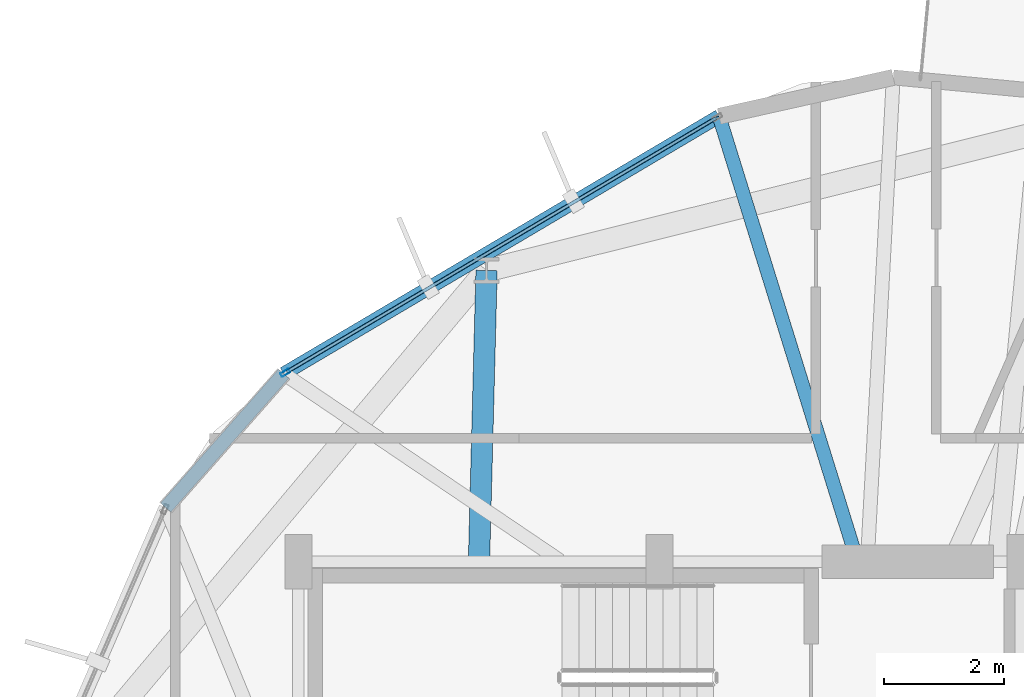
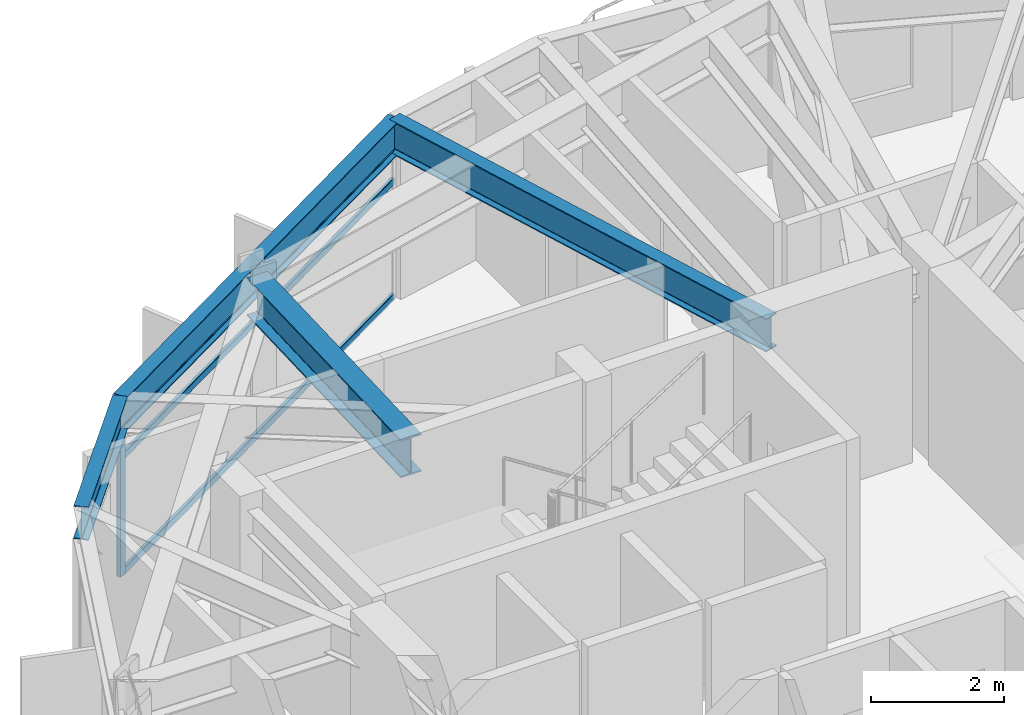
# One storey, part 11 of 21: 4 beams, 4 members, 1 element without a shape of its own.
"""IFC4 building model written with IfcOpenShell, lengths in metres."""

from ifc_helpers import new_model, si_unit, direction, frame, origin, origin_2d, place, context, subcontext, project, spatial, hollow_rectangle, i_section, extrude, material, layer, layer_set, material_profile, profile_set, type_object, element, aggregate, save


model = new_model("IFC4")

# Units and contexts
model_context = context("Model", 3, precision=1e-05, world=origin(), true_north=direction((0.0, 1.0)))
body_context = subcontext(model_context, "Body", "Model", "MODEL_VIEW")
ifc_project = project(units=[si_unit("LENGTHUNIT", "METRE"), si_unit("AREAUNIT", "SQUARE_METRE"), si_unit("VOLUMEUNIT", "CUBIC_METRE"), si_unit("PLANEANGLEUNIT", "RADIAN"), si_unit("MASSUNIT", "GRAM", prefix="KILO")], contexts=[model_context])

# Site, building, storey
site_placement = place(None, origin())
site = spatial("IfcSite", under=ifc_project, at=site_placement, CompositionType="ELEMENT")
building_placement = place(site_placement, origin())
building = spatial("IfcBuilding", under=site, at=building_placement, Name="Soratama Intermodal Tower", CompositionType="ELEMENT")
storey_placement = place(building_placement, frame((0.0, 0.0, 146.199951171875)))
storey = spatial("IfcBuildingStorey", under=building, at=storey_placement, Name="L35", CompositionType="ELEMENT", Elevation=146.199951171875)

# Beams
ifc_material_1 = material(Name="Structural steel ASTM A992 Grade 50", Category="steel")
ifc_material_profile_1 = material_profile(ifc_material_1, i_section(OverallWidth=0.35498046875, OverallDepth=0.695068359375, WebThickness=0.015380859375, FlangeThickness=0.02490234375, FilletRadius=0.01611328125, at=origin_2d()), Name="W27X146")
ifc_profile_set_1 = profile_set([ifc_material_profile_1], Name="Structural steel ASTM A992 Grade 50")
beam_type_1 = type_object("IfcBeamType", Name="BM-RING-W27X146", PredefinedType="BEAM", material=ifc_profile_set_1)
beam_1_placement = place(storey_placement, frame((35.60009765625, 35.0, 2.95263671875), z_axis=(0.026013685955, 0.99966158681, 0.0), x_axis=(-0.99966158681, 0.026013685955, 0.0)))
element("IfcBeam", 1, at=beam_1_placement, inside=storey, type_object=beam_type_1, Name="BM-L35-RAD-04", PredefinedType="BEAM", context=body_context, shape_type="SweptSolid", body=[
    extrude(i_section(OverallWidth=0.35498046875, OverallDepth=0.695068359375, WebThickness=0.015380859375, FlangeThickness=0.02490234375, FilletRadius=0.01611328125, at=origin_2d()), origin(), (0.0, 0.0, 1.0), 4.8427734375),
])
ifc_material_2 = material(Name="Structural steel ASTM A992 Grade 50", Category="steel")
ifc_material_profile_2 = material_profile(ifc_material_2, i_section(OverallWidth=0.22900390625, OverallDepth=0.612060546875, WebThickness=0.011962890625, FlangeThickness=0.01953125, FilletRadius=0.012939453125, at=origin_2d()), Name="W24X84")
ifc_profile_set_2 = profile_set([ifc_material_profile_2], Name="Structural steel ASTM A992 Grade 50")
beam_type_2 = type_object("IfcBeamType", Name="BM-SPN-W24X84", PredefinedType="SPANDREL", material=ifc_profile_set_2)
beam_2_placement = place(storey_placement, frame((39.590087890625, 42.404052734375, 2.994140625), z_axis=(-0.860730448045, -0.509060994192, 0.0), x_axis=(0.509060994192, -0.860730448045, 0.0)))
element("IfcBeam", 2, at=beam_2_placement, inside=storey, type_object=beam_type_2, Name="BS-L35-F03", PredefinedType="SPANDREL", context=body_context, shape_type="SweptSolid", body=[
    extrude(i_section(OverallWidth=0.22900390625, OverallDepth=0.612060546875, WebThickness=0.011962890625, FlangeThickness=0.01953125, FilletRadius=0.012939453125, at=origin_2d()), origin(), (0.0, 0.0, 1.0), 8.40576171875),
])
beam_3_placement = place(storey_placement, frame((32.35498046875, 38.125, 2.994140625), z_axis=(-0.661169574551, -0.75023649184, 0.0), x_axis=(0.75023649184, -0.661169574551, 0.0)))
element("IfcBeam", 3, at=beam_3_placement, inside=storey, type_object=beam_type_2, Name="BS-L35-CRN03", PredefinedType="SPANDREL", context=body_context, shape_type="SweptSolid", body=[
    extrude(i_section(OverallWidth=0.22900390625, OverallDepth=0.612060546875, WebThickness=0.011962890625, FlangeThickness=0.01953125, FilletRadius=0.012939453125, at=origin_2d()), origin(), (0.0, 0.0, 1.0), 2.9658203125),
])
ifc_material_3 = material(Name="Structural steel ASTM A992 Grade 50", Category="steel")
ifc_material_profile_3 = material_profile(ifc_material_3, i_section(OverallWidth=0.22900390625, OverallDepth=0.612060546875, WebThickness=0.011962890625, FlangeThickness=0.01953125, FilletRadius=0.012939453125, at=origin_2d()), Name="W24X84")
ifc_profile_set_3 = profile_set([ifc_material_profile_3], Name="Structural steel ASTM A992 Grade 50")
beam_type_3 = type_object("IfcBeamType", Name="BM-TIE-W24X84", PredefinedType="BEAM", material=ifc_profile_set_3)
beam_4_placement = place(storey_placement, frame((41.8798828125, 35.0380859375, 2.994140625), z_axis=(-0.296849153251, 0.954924384553, 0.0), x_axis=(-0.954924384553, -0.296849153251, 0.0)))
element("IfcBeam", 4, at=beam_4_placement, inside=storey, type_object=beam_type_3, Name="BM-L35-TIE0-03", PredefinedType="BEAM", context=body_context, shape_type="SweptSolid", body=[
    extrude(i_section(OverallWidth=0.22900390625, OverallDepth=0.612060546875, WebThickness=0.011962890625, FlangeThickness=0.01953125, FilletRadius=0.012939453125, at=origin_2d()), origin(), (0.0, 0.0, 1.0), 7.713623046875),
])

# Curtain wall, members
ifc_material_4 = material(Name="Double-glazed aluminium curtain wall", Category="aluminium")
ifc_layer = layer(ifc_material_4, 0.159912109375)
ifc_layer_set = layer_set([ifc_layer], Name="Double-glazed aluminium curtain wall")
curtain_wall_type = type_object("IfcCurtainWallType", Name="CW-SYS-4", PredefinedType="NOTDEFINED", material=ifc_layer_set)
curtain_wall_placement = place(storey_placement, origin())
curtain_wall = element("IfcCurtainWall", 5, at=curtain_wall_placement, inside=storey, type_object=curtain_wall_type, Name="L35 Faceted Curtain Wall F03", PredefinedType="NOTDEFINED")
ifc_material_5 = material(Name="Anodised aluminium AA 6063-T6", Category="aluminium")
ifc_material_profile_4 = material_profile(ifc_material_5, hollow_rectangle(XDim=0.070068359375, YDim=0.159912109375, WallThickness=0.0048828125, InnerFilletRadius=0.0048828125, OuterFilletRadius=0.010009765625, at=origin_2d()), Name="CWM160X70X5")
ifc_profile_set_4 = profile_set([ifc_material_profile_4], Name="Anodised aluminium AA 6063-T6")
member_type_1 = type_object("IfcMemberType", Name="MT-CWM-4", PredefinedType="MULLION", material=ifc_profile_set_4)
member_1_placement = place(storey_placement, frame((32.381103515625, 38.140380859375, 0.0), z_axis=(0.0, 0.0, 1.0), x_axis=(0.509043939125, -0.860740534679, 0.0)))
member_1 = element("IfcMember", 6, at=member_1_placement, type_object=member_type_1, Name="CW-4 mullion 2", PredefinedType="MULLION", context=body_context, shape_type="SweptSolid", body=[
    extrude(hollow_rectangle(XDim=0.070068359375, YDim=0.159912109375, WallThickness=0.0048828125, InnerFilletRadius=0.0048828125, OuterFilletRadius=0.010009765625, at=origin_2d()), origin(), (0.0, 0.0, 1.0), 2.678955078125),
])
ifc_material_6 = material(Name="Anodised aluminium AA 6063-T6", Category="aluminium")
ifc_material_profile_5 = material_profile(ifc_material_6, hollow_rectangle(XDim=0.06005859375, YDim=0.1298828125, WallThickness=0.0048828125, InnerFilletRadius=0.0048828125, OuterFilletRadius=0.010009765625, at=origin_2d()), Name="CWT130X60X5")
ifc_profile_set_5 = profile_set([ifc_material_profile_5], Name="Anodised aluminium AA 6063-T6")
member_type_2 = type_object("IfcMemberType", Name="TT-CWT-2", PredefinedType="USERDEFINED", material=ifc_profile_set_5)
member_2_placement = place(storey_placement, frame((39.538330078125, 42.373046875, 0.030029296875), z_axis=(-0.860751656725, -0.50902513243, 0.0), x_axis=(0.50902513243, -0.860751656725, 0.0)))
member_2 = element("IfcMember", 7, at=member_2_placement, type_object=member_type_2, Name="CW-4 transom 1.1", ObjectType="TRANSOM", PredefinedType="USERDEFINED", context=body_context, shape_type="SweptSolid", body=[
    extrude(hollow_rectangle(XDim=0.06005859375, YDim=0.1298828125, WallThickness=0.0048828125, InnerFilletRadius=0.0048828125, OuterFilletRadius=0.010009765625, at=origin_2d()), origin(), (0.0, 0.0, 1.0), 8.284912109375),
])
member_3_placement = place(storey_placement, frame((39.538330078125, 42.373046875, 2.150146484375), z_axis=(-0.860751656725, -0.50902513243, 0.0), x_axis=(0.50902513243, -0.860751656725, 0.0)))
member_3 = element("IfcMember", 8, at=member_3_placement, type_object=member_type_2, Name="CW-4 transom 1.2", ObjectType="TRANSOM", PredefinedType="USERDEFINED", context=body_context, shape_type="SweptSolid", body=[
    extrude(hollow_rectangle(XDim=0.06005859375, YDim=0.1298828125, WallThickness=0.0048828125, InnerFilletRadius=0.0048828125, OuterFilletRadius=0.010009765625, at=origin_2d()), origin(), (0.0, 0.0, 1.0), 8.284912109375),
])
member_4_placement = place(storey_placement, frame((39.538330078125, 42.373046875, 2.649169921875), z_axis=(-0.860751656725, -0.50902513243, 0.0), x_axis=(0.50902513243, -0.860751656725, 0.0)))
member_4 = element("IfcMember", 9, at=member_4_placement, type_object=member_type_2, Name="CW-4 transom 1.3", ObjectType="TRANSOM", PredefinedType="USERDEFINED", context=body_context, shape_type="SweptSolid", body=[
    extrude(hollow_rectangle(XDim=0.06005859375, YDim=0.1298828125, WallThickness=0.0048828125, InnerFilletRadius=0.0048828125, OuterFilletRadius=0.010009765625, at=origin_2d()), origin(), (0.0, 0.0, 1.0), 8.284912109375),
])
aggregate(curtain_wall, [member_1, member_2, member_3, member_4])

save(model, "model.ifc")
